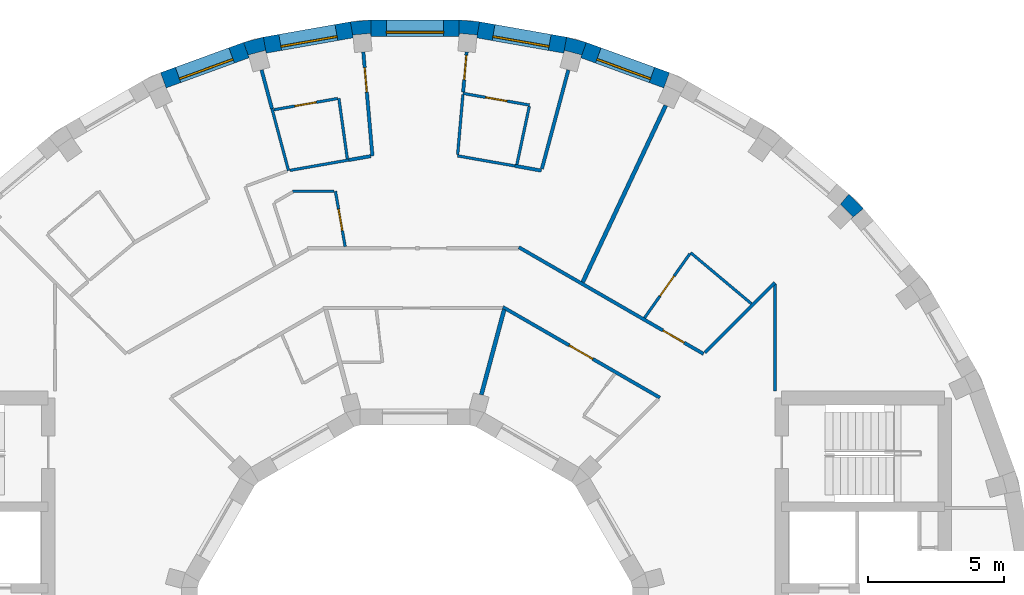
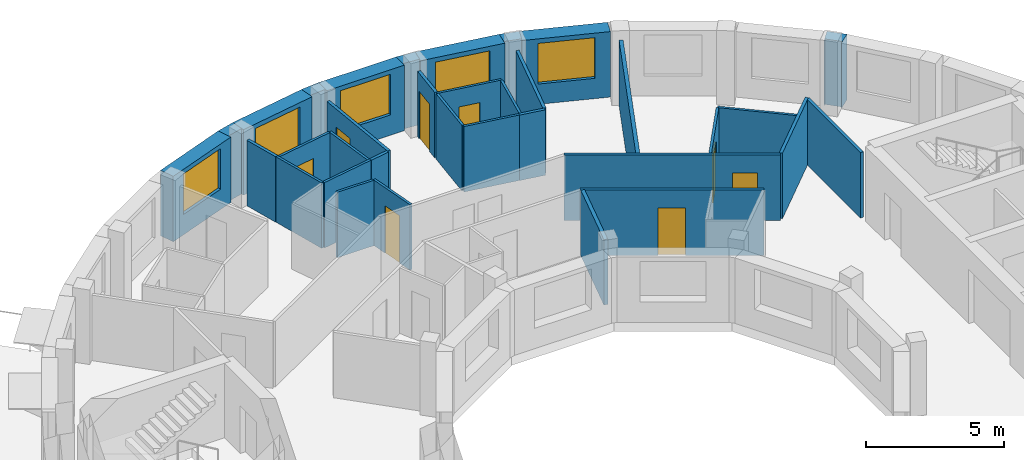
# One storey, part 8 of 10: 34 walls, 8 doors, 5 windows, 13 openings.
"""IFC4 building model written with IfcOpenShell, lengths in metres."""

import ifcopenshell
import ifcopenshell.guid

model = None  # the IFC model being written
_history = None  # IfcOwnerHistory: only IFC2X3 demands one
_inside = {}  # id of a spatial element -> (the spatial element, [elements in it])
_under = {}  # id of a project, library or spatial element -> (it, [spatial elements below it])
_declared = {}  # id of a project -> (the project, [libraries it declares])
_typed = {}  # id of a type object -> (the type object, [elements of that type])
_made_of = {}  # id of a material, layer set ... -> (it, [elements and type objects made of it])


def new_model(schema):
    """Start an empty IFC model of exactly this schema.

    Asked for "IFC4X3", IfcOpenShell would pick the latest addendum, in which some entities
    have other attributes; the version numbers below select the first issue.
    IFC2X3 requires an IfcOwnerHistory on every rooted entity: one is made here for all.
    """
    global model, _history
    if schema == "IFC4X3":
        model = ifcopenshell.file(schema_version=(4, 3, 0, 0))
    else:
        model = ifcopenshell.file(schema=schema)
    _inside.clear()
    _under.clear()
    _declared.clear()
    _typed.clear()
    _made_of.clear()
    _history = None
    if model.schema == "IFC2X3":
        org = make("IfcOrganization", Name="unknown")
        user = make(
            "IfcPersonAndOrganization",
            ThePerson=make("IfcPerson", FamilyName="unknown"),
            TheOrganization=org,
        )
        app = make(
            "IfcApplication",
            ApplicationDeveloper=org,
            Version="unknown",
            ApplicationFullName="unknown",
            ApplicationIdentifier="unknown",
        )
        _history = make(
            "IfcOwnerHistory",
            OwningUser=user,
            OwningApplication=app,
            ChangeAction="ADDED",
            CreationDate=0,
        )
    return model


def make(cls, **values):
    """One entity of the class cls with the attributes given. An attribute that is None is left unset."""
    return model.create_entity(
        cls, **{name: value for name, value in values.items() if value is not None}
    )


def rooted(cls, **values):
    """An entity with a GlobalId (a new one), such as an element, a storey or a relation."""
    return make(cls, GlobalId=ifcopenshell.guid.new(), OwnerHistory=_history, **values)


def si_unit(unit_type, name, prefix=None):
    """IfcSIUnit, for example si_unit("LENGTHUNIT", "METRE", prefix="MILLI")."""
    return make("IfcSIUnit", UnitType=unit_type, Prefix=prefix, Name=name)


def assignment(units):
    """IfcUnitAssignment: the units of a project."""
    return None if units is None else make("IfcUnitAssignment", Units=units)


def point(xyz):
    """IfcCartesianPoint."""
    return None if xyz is None else make("IfcCartesianPoint", Coordinates=xyz)


def direction(xyz):
    """IfcDirection."""
    return None if xyz is None else make("IfcDirection", DirectionRatios=xyz)


def frame(location, z_axis=None, x_axis=None):
    """IfcAxis2Placement3D, a coordinate frame: its origin and axes. An axis left out is left unset."""
    return make(
        "IfcAxis2Placement3D",
        Location=point(location),
        Axis=direction(z_axis),
        RefDirection=direction(x_axis),
    )


def frame_2d(location, x_axis=None):
    """IfcAxis2Placement2D, a coordinate frame in the plane: its origin and x axis."""
    return make(
        "IfcAxis2Placement2D", Location=point(location), RefDirection=direction(x_axis)
    )


def origin():
    """The frame at (0, 0, 0) with its axes left unset."""
    return frame((0.0, 0.0, 0.0))


def place(relative_to, where):
    """IfcLocalPlacement: puts the frame where relative to a parent placement (None: the world)."""
    return make(
        "IfcLocalPlacement", PlacementRelTo=relative_to, RelativePlacement=where
    )


def context(
    kind, dimensions, precision=None, world=None, true_north=None, identifier=None
):
    """IfcGeometricRepresentationContext, for example the 3D "Model" context."""
    return make(
        "IfcGeometricRepresentationContext",
        ContextIdentifier=identifier,
        ContextType=kind,
        CoordinateSpaceDimension=dimensions,
        Precision=precision,
        WorldCoordinateSystem=world,
        TrueNorth=true_north,
    )


def subcontext(parent, identifier, kind, view, scale=None):
    """IfcGeometricRepresentationSubContext, for example "Body" below "Model"."""
    return make(
        "IfcGeometricRepresentationSubContext",
        ContextIdentifier=identifier,
        ContextType=kind,
        ParentContext=parent,
        TargetScale=scale,
        TargetView=view,
    )


def project(units=None, contexts=None):
    """IfcProject with its units and contexts."""
    return rooted(
        "IfcProject",
        Name="project",
        RepresentationContexts=contexts,
        UnitsInContext=assignment(units),
    )


def spatial(cls, under=None, at=None, **own):
    """A site, building, storey or space (cls), placed at a placement, below another one or the project."""
    s = rooted(cls, ObjectPlacement=at, **own)
    if under is not None:
        _under.setdefault(under.id(), (under, []))[1].append(s)
    return s


def polyline(points):
    """IfcPolyline through the points."""
    return make("IfcPolyline", Points=[point(p) for p in points])


def profile(cls, at=None, kind="AREA", **sizes):
    """A parametric profile (cls). Its sizes go by their IFC names, for example OverallWidth=200.0."""
    return make(cls, ProfileType=kind, Position=at, **sizes)


def rectangle(**sizes):
    """IfcRectangleProfileDef."""
    return profile("IfcRectangleProfileDef", **sizes)


def outline(outer, holes=None, kind="AREA"):
    """IfcArbitraryClosedProfileDef: a profile drawn as a closed curve; with holes, ...WithVoids."""
    if holes is None:
        return make("IfcArbitraryClosedProfileDef", ProfileType=kind, OuterCurve=outer)
    return make(
        "IfcArbitraryProfileDefWithVoids",
        ProfileType=kind,
        OuterCurve=outer,
        InnerCurves=holes,
    )


def extrude(swept, where, along, depth):
    """IfcExtrudedAreaSolid: the profile swept, set in the frame where, extruded along a direction by depth."""
    return make(
        "IfcExtrudedAreaSolid",
        SweptArea=swept,
        Position=where,
        ExtrudedDirection=direction(along),
        Depth=depth,
    )


def shape(context_of_items, identifier, shape_type, items):
    """IfcShapeRepresentation: the items that make up one representation, for example the "Body"."""
    return make(
        "IfcShapeRepresentation",
        ContextOfItems=context_of_items,
        RepresentationIdentifier=identifier,
        RepresentationType=shape_type,
        Items=items,
    )


def material(Name=None, Category=None):
    """IfcMaterial."""
    return make("IfcMaterial", Name=Name, Category=Category)


def layer(
    of_material, thickness, ventilated=None, Name=None, Category=None, Priority=None
):
    """IfcMaterialLayer: one layer of a wall or slab, of a material (None: an air gap)."""
    return make(
        "IfcMaterialLayer",
        Material=of_material,
        LayerThickness=thickness,
        IsVentilated=ventilated,
        Name=Name,
        Category=Category,
        Priority=Priority,
    )


def layer_set(layers, Name=None):
    """IfcMaterialLayerSet."""
    return make("IfcMaterialLayerSet", MaterialLayers=layers, LayerSetName=Name)


def made_of(thing, what):
    """Note that an element or type object is made of a material, layer set ...; save() writes the relation."""
    if what is not None:
        _made_of.setdefault(what.id(), (what, []))[1].append(thing)
    return thing


def type_object(cls, material=None, **own):
    """A type object (cls), such as IfcWallType, which elements share."""
    return made_of(rooted(cls, **own), material)


def element(
    cls,
    number,
    at=None,
    inside=None,
    cuts=None,
    type_object=None,
    material=None,
    context=None,
    identifier="Body",
    shape_type=None,
    held_by="IfcProductDefinitionShape",
    body=None,
    shapes=None,
    **own,
):
    """One element of the class cls, such as IfcWall. Its Tag is "e" and its number.

    at: its placement. inside: the storey or other place that contains it. cuts: it is an
    opening in that element (IfcRelVoidsElement). A single representation is given by context,
    identifier, shape_type and body (its items); several are given by shapes. held_by: the class
    of the entity that holds the representations. save() writes the other relations.
    """
    e = rooted(cls, Tag="e%d" % number, ObjectPlacement=at, **own)
    if body is not None:
        shapes = [shape(context, identifier, shape_type, body)]
    if shapes is not None:
        e.Representation = make(held_by, Representations=shapes)
    if inside is not None:
        _inside.setdefault(inside.id(), (inside, []))[1].append(e)
    if cuts is not None:
        rooted(
            "IfcRelVoidsElement", RelatingBuildingElement=cuts, RelatedOpeningElement=e
        )
    if type_object is not None:
        _typed.setdefault(type_object.id(), (type_object, []))[1].append(e)
    return made_of(e, material)


def fill(opening, filler):
    """IfcRelFillsElement: the door or window that sits in an opening."""
    return rooted(
        "IfcRelFillsElement",
        RelatingOpeningElement=opening,
        RelatedBuildingElement=filler,
    )


def aggregate(whole, parts):
    """IfcRelAggregates: a whole, such as a stair, and the parts it consists of."""
    return rooted("IfcRelAggregates", RelatingObject=whole, RelatedObjects=parts)


def save(model, path):
    """Write the relations noted so far, then the file.

    IfcRelAggregates (storeys below a building ...), IfcRelContainedInSpatialStructure (elements
    in a storey), IfcRelDefinesByType, IfcRelAssociatesMaterial and IfcRelDeclares: one each for
    every whole, place, type object, material and project.
    """
    for whole, parts in _under.values():
        aggregate(whole, parts)
    for where, things in _inside.values():
        rooted(
            "IfcRelContainedInSpatialStructure",
            RelatedElements=things,
            RelatingStructure=where,
        )
    for kind, things in _typed.values():
        rooted("IfcRelDefinesByType", RelatedObjects=things, RelatingType=kind)
    for what, things in _made_of.values():
        rooted("IfcRelAssociatesMaterial", RelatedObjects=things, RelatingMaterial=what)
    for by, libraries in _declared.values():
        rooted("IfcRelDeclares", RelatingContext=by, RelatedDefinitions=libraries)
    model.write(path)


model = new_model("IFC4")

# Units and contexts
model_context = context("Model", 3, precision=1e-05, world=origin(), true_north=direction((0.0, 1.0)))
body_context = subcontext(model_context, "Body", "Model", "MODEL_VIEW")
ifc_project = project(units=[si_unit("LENGTHUNIT", "METRE"), si_unit("AREAUNIT", "SQUARE_METRE"), si_unit("VOLUMEUNIT", "CUBIC_METRE"), si_unit("PLANEANGLEUNIT", "RADIAN"), si_unit("MASSUNIT", "GRAM", prefix="KILO")], contexts=[model_context])

# Site, building, storey
site_placement = place(None, origin())
site = spatial("IfcSite", under=ifc_project, at=site_placement, CompositionType="ELEMENT")
building_placement = place(site_placement, origin())
building = spatial("IfcBuilding", under=site, at=building_placement, Name="Saqina Gate Tower", CompositionType="ELEMENT")
storey_placement = place(building_placement, frame((0.0, 0.0, 246.199951171875)))
storey = spatial("IfcBuildingStorey", under=building, at=storey_placement, Name="L70", CompositionType="ELEMENT", Elevation=246.199951171875)

# Walls
ifc_material_1 = material(Name="Brick masonry (buff)", Category="masonry")
wall_type_1 = type_object("IfcWallType", Name="BRICK PIER COPING BUFF", PredefinedType="SOLIDWALL", material=ifc_material_1)
wall_1_placement = place(storey_placement, origin())
element("IfcWall", 1, at=wall_1_placement, inside=storey, type_object=wall_type_1, Name="Pier cap L70 column 5", PredefinedType="SOLIDWALL", context=body_context, shape_type="SweptSolid", body=[
    extrude(outline(polyline([(15.973388671875, 16.5068359375), (15.587646484375, 16.04736328125), (15.662353515625, 16.1220703125), (16.1220703125, 15.662353515625), (16.04736328125, 15.587646484375), (16.5068359375, 15.973388671875), (15.973388671875, 16.5068359375)])), origin(), (0.0, 0.0, 1.0), 2.900146484375),
])
wall_2_placement = place(storey_placement, origin())
element("IfcWall", 2, at=wall_2_placement, inside=storey, type_object=wall_type_1, Name="Pier cap L70 column 8", PredefinedType="SOLIDWALL", context=body_context, shape_type="SweptSolid", body=[
    extrude(outline(polyline([(5.579833984375, 22.281982421875), (5.4755859375, 21.691162109375), (5.5029296875, 21.793212890625), (6.130859375, 21.625), (6.103515625, 21.52294921875), (6.30859375, 22.0869140625), (5.579833984375, 22.281982421875)])), origin(), (0.0, 0.0, 1.0), 2.900146484375),
])
wall_3_placement = place(storey_placement, origin())
element("IfcWall", 3, at=wall_3_placement, inside=storey, type_object=wall_type_1, Name="Pier cap L70 column 9", PredefinedType="SOLIDWALL", context=body_context, shape_type="SweptSolid", body=[
    extrude(outline(polyline([(2.377685546875, 22.8466796875), (1.625732421875, 22.91259765625), (1.625732421875, 22.3125), (1.635009765625, 22.417724609375), (2.28271484375, 22.361083984375), (2.2734375, 22.255859375), (2.377685546875, 22.8466796875)])), origin(), (0.0, 0.0, 1.0), 2.900146484375),
])
wall_4_placement = place(storey_placement, origin())
element("IfcWall", 4, at=wall_4_placement, inside=storey, type_object=wall_type_1, Name="Pier cap L70 column 10", PredefinedType="SOLIDWALL", context=body_context, shape_type="SweptSolid", body=[
    extrude(outline(polyline([(-1.625732421875, 22.91259765625), (-2.377685546875, 22.8466796875), (-2.2734375, 22.255859375), (-2.28271484375, 22.361083984375), (-1.635009765625, 22.417724609375), (-1.625732421875, 22.3125), (-1.625732421875, 22.91259765625)])), origin(), (0.0, 0.0, 1.0), 2.900146484375),
])
wall_5_placement = place(storey_placement, origin())
element("IfcWall", 5, at=wall_5_placement, inside=storey, type_object=wall_type_1, Name="Pier cap L70 column 11", PredefinedType="SOLIDWALL", context=body_context, shape_type="SweptSolid", body=[
    extrude(outline(polyline([(-6.30859375, 22.0869140625), (-6.103515625, 21.52294921875), (-6.130859375, 21.625), (-5.5029296875, 21.793212890625), (-5.4755859375, 21.691162109375), (-5.579833984375, 22.281982421875), (-6.30859375, 22.0869140625)])), origin(), (0.0, 0.0, 1.0), 2.900146484375),
])

# Wall, opening, window
ifc_material_2 = material(Name="Brick masonry (buff)", Category="masonry")
ifc_layer_1 = layer(ifc_material_2, 0.60009765625)
ifc_layer_set_1 = layer_set([ifc_layer_1], Name="FW-BRICK-BUFF")
wall_type_2 = type_object("IfcWallType", Name="FW-BRICK-BUFF", PredefinedType="SOLIDWALL", material=ifc_layer_set_1)
wall_6_placement = place(storey_placement, frame((9.26171875, 20.692626953125, 0.0), z_axis=(0.0, 0.0, 1.0), x_axis=(-0.939679383794, 0.342056509473, 0.0)))
wall_6 = element("IfcWall", 6, at=wall_6_placement, inside=storey, type_object=wall_type_2, Name="Facade wall L70 facet 7", PredefinedType="SOLIDWALL", context=body_context, shape_type="SweptSolid", body=[
    extrude(rectangle(XDim=3.251708984375, YDim=0.60009765625, at=frame_2d((1.6259765625, 0.0))), origin(), (0.0, 0.0, 1.0), 2.900146484375),
])
opening_1_placement = place(wall_6_placement, frame((0.57568359375, 0.0, 0.89990234375)))
opening_1 = element("IfcOpeningElement", 7, at=opening_1_placement, cuts=wall_6, Name="Opening G20-W05", PredefinedType="OPENING", context=body_context, shape_type="SweptSolid", body=[
    extrude(rectangle(XDim=2.10009765625, YDim=1.800048828125, at=frame_2d((1.050048828125, 0.89990234375))), frame((0.0, 0.31201171875, 0.0), z_axis=(0.0, -1.0, 0.0), x_axis=(1.0, 0.0, 0.0)), (0.0, 0.0, 1.0), 0.6240234375),
])
ifc_material_3 = material(Name="Aluminium glazing", Category="aluminium")
window_type = type_object("IfcWindowType", Name="WN-D", PartitioningType="SINGLE_PANEL", PredefinedType="WINDOW", material=ifc_material_3)
window_1_placement = place(opening_1_placement, origin())
window_1 = element("IfcWindow", 8, at=window_1_placement, inside=storey, type_object=window_type, Name="Window L70 facet 7", OverallHeight=1.800048828125, OverallWidth=2.10009765625, PartitioningType="SINGLE_PANEL", PredefinedType="WINDOW", context=body_context, shape_type="SweptSolid", body=[
    extrude(rectangle(XDim=2.10009765625, YDim=1.800048828125, at=frame_2d((1.050048828125, 0.89990234375))), frame((0.0, 0.179931640625, 0.0), z_axis=(0.0, -1.0, 0.0), x_axis=(1.0, 0.0, 0.0)), (0.0, 0.0, 1.0), 0.06005859375),
])
fill(opening_1, window_1)

wall_7_placement = place(storey_placement, frame((5.52783203125, 21.986572265625, 0.0), z_axis=(0.0, 0.0, 1.0), x_axis=(-0.984806225186, 0.173656842178, 0.0)))
wall_7 = element("IfcWall", 9, at=wall_7_placement, inside=storey, type_object=wall_type_2, Name="Facade wall L70 facet 8", PredefinedType="SOLIDWALL", context=body_context, shape_type="SweptSolid", body=[
    extrude(rectangle(XDim=3.251708984375, YDim=0.60009765625, at=frame_2d((1.6259765625, 0.0))), origin(), (0.0, 0.0, 1.0), 2.900146484375),
])
opening_2_placement = place(wall_7_placement, frame((0.57568359375, 0.0, 0.89990234375)))
opening_2 = element("IfcOpeningElement", 10, at=opening_2_placement, cuts=wall_7, Name="Opening G20-W06", PredefinedType="OPENING", context=body_context, shape_type="SweptSolid", body=[
    extrude(rectangle(XDim=2.10009765625, YDim=1.800048828125, at=frame_2d((1.050048828125, 0.89990234375))), frame((0.0, 0.31201171875, 0.0), z_axis=(0.0, -1.0, 0.0), x_axis=(1.0, 0.0, 0.0)), (0.0, 0.0, 1.0), 0.6240234375),
])
window_2_placement = place(opening_2_placement, origin())
window_2 = element("IfcWindow", 11, at=window_2_placement, inside=storey, type_object=window_type, Name="Window L70 facet 8", OverallHeight=1.800048828125, OverallWidth=2.10009765625, PartitioningType="SINGLE_PANEL", PredefinedType="WINDOW", context=body_context, shape_type="SweptSolid", body=[
    extrude(rectangle(XDim=2.10009765625, YDim=1.800048828125, at=frame_2d((1.050048828125, 0.89990234375))), frame((0.0, 0.179931640625, 0.0), z_axis=(0.0, -1.0, 0.0), x_axis=(1.0, 0.0, 0.0)), (0.0, 0.0, 1.0), 0.06005859375),
])
fill(opening_2, window_2)

wall_8_placement = place(storey_placement, frame((1.625732421875, 22.612548828125, 0.0), z_axis=(0.0, 0.0, 1.0), x_axis=(-1.0, 0.0, 0.0)))
wall_8 = element("IfcWall", 12, at=wall_8_placement, inside=storey, type_object=wall_type_2, Name="Facade wall L70 facet 9", PredefinedType="SOLIDWALL", context=body_context, shape_type="SweptSolid", body=[
    extrude(rectangle(XDim=3.25146484375, YDim=0.60009765625, at=frame_2d((1.625732421875, 0.0))), origin(), (0.0, 0.0, 1.0), 2.900146484375),
])
opening_3_placement = place(wall_8_placement, frame((0.57568359375, 0.0, 0.89990234375)))
opening_3 = element("IfcOpeningElement", 13, at=opening_3_placement, cuts=wall_8, Name="Opening G20-W07", PredefinedType="OPENING", context=body_context, shape_type="SweptSolid", body=[
    extrude(rectangle(XDim=2.10009765625, YDim=1.800048828125, at=frame_2d((1.050048828125, 0.89990234375))), frame((0.0, 0.31201171875, 0.0), z_axis=(0.0, -1.0, 0.0), x_axis=(1.0, 0.0, 0.0)), (0.0, 0.0, 1.0), 0.6240234375),
])
window_3_placement = place(opening_3_placement, origin())
window_3 = element("IfcWindow", 14, at=window_3_placement, inside=storey, type_object=window_type, Name="Window L70 facet 9", OverallHeight=1.800048828125, OverallWidth=2.10009765625, PartitioningType="SINGLE_PANEL", PredefinedType="WINDOW", context=body_context, shape_type="SweptSolid", body=[
    extrude(rectangle(XDim=2.10009765625, YDim=1.800048828125, at=frame_2d((1.050048828125, 0.89990234375))), frame((0.0, 0.179931640625, 0.0), z_axis=(0.0, -1.0, 0.0), x_axis=(1.0, 0.0, 0.0)), (0.0, 0.0, 1.0), 0.06005859375),
])
fill(opening_3, window_3)

wall_9_placement = place(storey_placement, frame((-2.325439453125, 22.55126953125, 0.0), z_axis=(0.0, 0.0, 1.0), x_axis=(-0.984806225186, -0.173656842178, 0.0)))
wall_9 = element("IfcWall", 15, at=wall_9_placement, inside=storey, type_object=wall_type_2, Name="Facade wall L70 facet 10", PredefinedType="SOLIDWALL", context=body_context, shape_type="SweptSolid", body=[
    extrude(rectangle(XDim=3.251708984375, YDim=0.60009765625, at=frame_2d((1.6259765625, 0.0))), origin(), (0.0, 0.0, 1.0), 2.900146484375),
])
opening_4_placement = place(wall_9_placement, frame((0.57568359375, 0.0, 0.89990234375)))
opening_4 = element("IfcOpeningElement", 16, at=opening_4_placement, cuts=wall_9, Name="Opening G20-W08", PredefinedType="OPENING", context=body_context, shape_type="SweptSolid", body=[
    extrude(rectangle(XDim=2.10009765625, YDim=1.800048828125, at=frame_2d((1.050048828125, 0.89990234375))), frame((0.0, 0.31201171875, 0.0), z_axis=(0.0, -1.0, 0.0), x_axis=(1.0, 0.0, 0.0)), (0.0, 0.0, 1.0), 0.6240234375),
])
window_4_placement = place(opening_4_placement, origin())
window_4 = element("IfcWindow", 17, at=window_4_placement, inside=storey, type_object=window_type, Name="Window L70 facet 10", OverallHeight=1.800048828125, OverallWidth=2.10009765625, PartitioningType="SINGLE_PANEL", PredefinedType="WINDOW", context=body_context, shape_type="SweptSolid", body=[
    extrude(rectangle(XDim=2.10009765625, YDim=1.800048828125, at=frame_2d((1.050048828125, 0.89990234375))), frame((0.0, 0.179931640625, 0.0), z_axis=(0.0, -1.0, 0.0), x_axis=(1.0, 0.0, 0.0)), (0.0, 0.0, 1.0), 0.06005859375),
])
fill(opening_4, window_4)

wall_10_placement = place(storey_placement, frame((-6.2060546875, 21.804931640625, 0.0), z_axis=(0.0, 0.0, 1.0), x_axis=(-0.939679383794, -0.342056509473, 0.0)))
wall_10 = element("IfcWall", 18, at=wall_10_placement, inside=storey, type_object=wall_type_2, Name="Facade wall L70 facet 11", PredefinedType="SOLIDWALL", context=body_context, shape_type="SweptSolid", body=[
    extrude(rectangle(XDim=3.251708984375, YDim=0.60009765625, at=frame_2d((1.6259765625, 0.0))), origin(), (0.0, 0.0, 1.0), 2.900146484375),
])
opening_5_placement = place(wall_10_placement, frame((0.57568359375, 0.0, 0.89990234375)))
opening_5 = element("IfcOpeningElement", 19, at=opening_5_placement, cuts=wall_10, Name="Opening G20-W09", PredefinedType="OPENING", context=body_context, shape_type="SweptSolid", body=[
    extrude(rectangle(XDim=2.10009765625, YDim=1.800048828125, at=frame_2d((1.050048828125, 0.89990234375))), frame((0.0, 0.31201171875, 0.0), z_axis=(0.0, -1.0, 0.0), x_axis=(1.0, 0.0, 0.0)), (0.0, 0.0, 1.0), 0.6240234375),
])
window_5_placement = place(opening_5_placement, origin())
window_5 = element("IfcWindow", 20, at=window_5_placement, inside=storey, type_object=window_type, Name="Window L70 facet 11", OverallHeight=1.800048828125, OverallWidth=2.10009765625, PartitioningType="SINGLE_PANEL", PredefinedType="WINDOW", context=body_context, shape_type="SweptSolid", body=[
    extrude(rectangle(XDim=2.10009765625, YDim=1.800048828125, at=frame_2d((1.050048828125, 0.89990234375))), frame((0.0, 0.179931640625, 0.0), z_axis=(0.0, -1.0, 0.0), x_axis=(1.0, 0.0, 0.0)), (0.0, 0.0, 1.0), 0.06005859375),
])
fill(opening_5, window_5)

# Wall
ifc_material_4 = material(Name="Gypsum board on steel studs, 100 mm", Category="steel")
ifc_layer_2 = layer(ifc_material_4, 0.10009765625)
ifc_layer_set_2 = layer_set([ifc_layer_2], Name="PARTITION 100")
wall_type_3 = type_object("IfcWallType", Name="PARTITION 100", PredefinedType="PARTITIONING", material=ifc_layer_set_2)
wall_11_placement = place(storey_placement, frame((-2.802001953125, 20.030029296875, 0.0), z_axis=(0.0, 0.0, 1.0), x_axis=(0.138596789885, -0.990348892983, 0.0)))
element("IfcWall", 21, at=wall_11_placement, inside=storey, type_object=wall_type_3, Name="PARTITION PW3-03", PredefinedType="PARTITIONING", context=body_context, shape_type="SweptSolid", body=[
    extrude(rectangle(XDim=2.251220703125, YDim=0.10009765625, at=frame_2d((1.12548828125, 0.0))), origin(), (0.0, 0.0, 1.0), 2.900146484375),
])

# Wall, opening, door
wall_12_placement = place(storey_placement, frame((-2.928955078125, 16.610107421875, 0.0), z_axis=(0.0, 0.0, 1.0), x_axis=(0.173496006764, -0.984834572726, 0.0)))
wall_12 = element("IfcWall", 22, at=wall_12_placement, inside=storey, type_object=wall_type_3, Name="PARTITION PW3-04", PredefinedType="PARTITIONING", context=body_context, shape_type="SweptSolid", body=[
    extrude(rectangle(XDim=2.070068359375, YDim=0.10009765625, at=frame_2d((1.03515625, 0.0))), origin(), (0.0, 0.0, 1.0), 2.900146484375),
])
opening_6_placement = place(wall_12_placement, frame((0.667236328125, 0.0, 0.0)))
opening_6 = element("IfcOpeningElement", 23, at=opening_6_placement, cuts=wall_12, Name="Opening G20-D12", PredefinedType="OPENING", context=body_context, shape_type="SweptSolid", body=[
    extrude(rectangle(XDim=0.800048828125, YDim=2.10009765625, at=frame_2d((0.39990234375, 1.050048828125))), frame((0.0, 0.06201171875, 0.0), z_axis=(0.0, -1.0, 0.0), x_axis=(1.0, 0.0, 0.0)), (0.0, 0.0, 1.0), 0.1240234375),
])
ifc_material_5 = material(Name="Timber door leaf, 800 mm", Category="wood")
door_type_1 = type_object("IfcDoorType", Name="DOOR 800 TIMBER", OperationType="SINGLE_SWING_LEFT", PredefinedType="DOOR", material=ifc_material_5)
door_1_placement = place(opening_6_placement, origin())
door_1 = element("IfcDoor", 24, at=door_1_placement, inside=storey, type_object=door_type_1, Name="DOOR G20-D12", OperationType="SINGLE_SWING_RIGHT", OverallHeight=2.10009765625, OverallWidth=0.800048828125, PredefinedType="DOOR", context=body_context, shape_type="SweptSolid", body=[
    extrude(rectangle(XDim=0.800048828125, YDim=2.10009765625, at=frame_2d((0.39990234375, 1.050048828125))), frame((0.0, 0.02490234375, 0.0), z_axis=(0.0, -1.0, 0.0), x_axis=(1.0, 0.0, 0.0)), (0.0, 0.0, 1.0), 0.050048828125),
])
fill(opening_6, door_1)

# Walls
wall_13_placement = place(storey_placement, frame((-5.263916015625, 19.646240234375, 0.0), z_axis=(0.0, 0.0, 1.0), x_axis=(0.258480811352, -0.966016392285, 0.0)))
element("IfcWall", 25, at=wall_13_placement, inside=storey, type_object=wall_type_3, Name="PARTITION PW3-06", PredefinedType="PARTITIONING", context=body_context, shape_type="SweptSolid", body=[
    extrude(rectangle(XDim=2.3583984375, YDim=0.10009765625, at=frame_2d((1.17919921875, 0.0))), origin(), (0.0, 0.0, 1.0), 2.900146484375),
])
wall_14_placement = place(storey_placement, frame((10.14599609375, 14.347900390625, 0.0), z_axis=(0.0, 0.0, 1.0), x_axis=(0.765810272607, -0.643066580044, 0.0)))
element("IfcWall", 26, at=wall_14_placement, inside=storey, type_object=wall_type_3, Name="PARTITION PW3-15", PredefinedType="PARTITIONING", context=body_context, shape_type="SweptSolid", body=[
    extrude(rectangle(XDim=2.919921875, YDim=0.10009765625, at=frame_2d((1.4599609375, 0.0))), origin(), (0.0, 0.0, 1.0), 2.900146484375),
])
wall_15_placement = place(storey_placement, frame((1.56689453125, 17.912109375, 0.0), z_axis=(0.0, 0.0, 1.0), x_axis=(0.984859193769, -0.173356189529, 0.0)))
element("IfcWall", 27, at=wall_15_placement, inside=storey, type_object=wall_type_3, Name="PARTITION PW3-23", PredefinedType="PARTITIONING", context=body_context, shape_type="SweptSolid", body=[
    extrude(rectangle(XDim=2.14208984375, YDim=0.10009765625, at=frame_2d((1.071044921875, 0.0))), origin(), (0.0, 0.0, 1.0), 2.900146484375),
])

# Wall, opening, door
wall_16_placement = place(storey_placement, frame((1.76806640625, 20.2119140625, 0.0), z_axis=(0.0, 0.0, 1.0), x_axis=(0.984882203063, -0.173225419871, 0.0)))
wall_16 = element("IfcWall", 28, at=wall_16_placement, inside=storey, type_object=wall_type_3, Name="PARTITION PW3-24", PredefinedType="PARTITIONING", context=body_context, shape_type="SweptSolid", body=[
    extrude(rectangle(XDim=2.487548828125, YDim=0.10009765625, at=frame_2d((1.24365234375, 0.0))), origin(), (0.0, 0.0, 1.0), 2.900146484375),
])
opening_7_placement = place(wall_16_placement, frame((0.84375, 0.0, 0.0)))
opening_7 = element("IfcOpeningElement", 29, at=opening_7_placement, cuts=wall_16, Name="Opening G20-D05", PredefinedType="OPENING", context=body_context, shape_type="SweptSolid", body=[
    extrude(rectangle(XDim=0.800048828125, YDim=2.10009765625, at=frame_2d((0.39990234375, 1.050048828125))), frame((0.0, 0.06201171875, 0.0), z_axis=(0.0, -1.0, 0.0), x_axis=(1.0, 0.0, 0.0)), (0.0, 0.0, 1.0), 0.1240234375),
])
door_2_placement = place(opening_7_placement, origin())
door_2 = element("IfcDoor", 30, at=door_2_placement, inside=storey, type_object=door_type_1, Name="DOOR G20-D05", OperationType="SINGLE_SWING_LEFT", OverallHeight=2.10009765625, OverallWidth=0.800048828125, PredefinedType="DOOR", context=body_context, shape_type="SweptSolid", body=[
    extrude(rectangle(XDim=0.800048828125, YDim=2.10009765625, at=frame_2d((0.39990234375, 1.050048828125))), frame((0.0, 0.02490234375, 0.0), z_axis=(0.0, -1.0, 0.0), x_axis=(1.0, 0.0, 0.0)), (0.0, 0.0, 1.0), 0.050048828125),
])
fill(opening_7, door_2)

# Walls
wall_17_placement = place(storey_placement, frame((-4.5087890625, 16.610107421875, 0.0), z_axis=(0.0, 0.0, 1.0), x_axis=(1.0, 0.0, 0.0)))
element("IfcWall", 31, at=wall_17_placement, inside=storey, type_object=wall_type_3, Name="PARTITION PW3-27", PredefinedType="PARTITIONING", context=body_context, shape_type="SweptSolid", body=[
    extrude(rectangle(XDim=1.52783203125, YDim=0.10009765625, at=frame_2d((0.763916015625, 0.0))), origin(), (0.0, 0.0, 1.0), 2.900146484375),
])
wall_18_placement = place(storey_placement, frame((-4.604736328125, 17.376708984375, 0.0), z_axis=(0.0, 0.0, 1.0), x_axis=(0.984786903427, 0.173766380058, 0.0)))
element("IfcWall", 32, at=wall_18_placement, inside=storey, type_object=wall_type_3, Name="PARTITION PW3-30", PredefinedType="PARTITIONING", context=body_context, shape_type="SweptSolid", body=[
    extrude(rectangle(XDim=2.204345703125, YDim=0.10009765625, at=frame_2d((1.10205078125, 0.0))), origin(), (0.0, 0.0, 1.0), 2.900146484375),
])

# Wall, opening, door
wall_19_placement = place(storey_placement, frame((-5.189453125, 19.60888671875, 0.0), z_axis=(0.0, 0.0, 1.0), x_axis=(0.984802186768, 0.173679742451, 0.0)))
wall_19 = element("IfcWall", 33, at=wall_19_placement, inside=storey, type_object=wall_type_3, Name="PARTITION PW3-31", PredefinedType="PARTITIONING", context=body_context, shape_type="SweptSolid", body=[
    extrude(rectangle(XDim=2.374267578125, YDim=0.10009765625, at=frame_2d((1.18701171875, 0.0))), origin(), (0.0, 0.0, 1.0), 2.900146484375),
])
opening_8_placement = place(wall_19_placement, frame((0.781005859375, 0.0, 0.0)))
opening_8 = element("IfcOpeningElement", 34, at=opening_8_placement, cuts=wall_19, Name="Opening G20-D13", PredefinedType="OPENING", context=body_context, shape_type="SweptSolid", body=[
    extrude(rectangle(XDim=0.800048828125, YDim=2.10009765625, at=frame_2d((0.39990234375, 1.050048828125))), frame((0.0, 0.06201171875, 0.0), z_axis=(0.0, -1.0, 0.0), x_axis=(1.0, 0.0, 0.0)), (0.0, 0.0, 1.0), 0.1240234375),
])
door_3_placement = place(opening_8_placement, origin())
door_3 = element("IfcDoor", 35, at=door_3_placement, inside=storey, type_object=door_type_1, Name="DOOR G20-D13", OperationType="SINGLE_SWING_LEFT", OverallHeight=2.10009765625, OverallWidth=0.800048828125, PredefinedType="DOOR", context=body_context, shape_type="SweptSolid", body=[
    extrude(rectangle(XDim=0.800048828125, YDim=2.10009765625, at=frame_2d((0.39990234375, 1.050048828125))), frame((0.0, 0.02490234375, 0.0), z_axis=(0.0, -1.0, 0.0), x_axis=(1.0, 0.0, 0.0)), (0.0, 0.0, 1.0), 0.050048828125),
])
fill(opening_8, door_3)

wall_20_placement = place(storey_placement, frame((8.44921875, 11.9482421875, 0.0), z_axis=(0.0, 0.0, 1.0), x_axis=(0.577346566694, 0.816499198975, 0.0)))
wall_20 = element("IfcWall", 36, at=wall_20_placement, inside=storey, type_object=wall_type_3, Name="PARTITION PW3-41", PredefinedType="PARTITIONING", context=body_context, shape_type="SweptSolid", body=[
    extrude(rectangle(XDim=2.888916015625, YDim=0.10009765625, at=frame_2d((1.4443359375, 0.0))), origin(), (0.0, 0.0, 1.0), 2.900146484375),
])
opening_9_placement = place(wall_20_placement, frame((0.988037109375, 0.0, 0.0)))
opening_9 = element("IfcOpeningElement", 37, at=opening_9_placement, cuts=wall_20, Name="Opening G20-D03", PredefinedType="OPENING", context=body_context, shape_type="SweptSolid", body=[
    extrude(rectangle(XDim=0.89990234375, YDim=2.10009765625, at=frame_2d((0.449951171875, 1.050048828125))), frame((0.0, 0.06201171875, 0.0), z_axis=(0.0, -1.0, 0.0), x_axis=(1.0, 0.0, 0.0)), (0.0, 0.0, 1.0), 0.1240234375),
])
ifc_material_6 = material(Name="Timber door leaf, 900 mm", Category="wood")
door_type_2 = type_object("IfcDoorType", Name="DOOR 900 TIMBER", OperationType="SINGLE_SWING_LEFT", PredefinedType="DOOR", material=ifc_material_6)
door_4_placement = place(opening_9_placement, origin())
door_4 = element("IfcDoor", 38, at=door_4_placement, inside=storey, type_object=door_type_2, Name="DOOR G20-D03", OperationType="SINGLE_SWING_LEFT", OverallHeight=2.10009765625, OverallWidth=0.89990234375, PredefinedType="DOOR", context=body_context, shape_type="SweptSolid", body=[
    extrude(rectangle(XDim=0.89990234375, YDim=2.10009765625, at=frame_2d((0.449951171875, 1.050048828125))), frame((0.0, 0.02490234375, 0.0), z_axis=(0.0, -1.0, 0.0), x_axis=(1.0, 0.0, 0.0)), (0.0, 0.0, 1.0), 0.050048828125),
])
fill(opening_9, door_4)

# Walls
wall_21_placement = place(storey_placement, frame((3.7509765625, 17.59130859375, 0.0), z_axis=(0.0, 0.0, 1.0), x_axis=(0.208561664849, 0.978009218748, 0.0)))
element("IfcWall", 39, at=wall_21_placement, inside=storey, type_object=wall_type_3, Name="PARTITION PW3-49", PredefinedType="PARTITIONING", context=body_context, shape_type="SweptSolid", body=[
    extrude(rectangle(XDim=2.18896484375, YDim=0.10009765625, at=frame_2d((1.094482421875, 0.0))), origin(), (0.0, 0.0, 1.0), 2.900146484375),
])
wall_22_placement = place(storey_placement, frame((1.571533203125, 17.962890625, 0.0), z_axis=(0.0, 0.0, 1.0), x_axis=(0.087035248455, 0.996205232634, 0.0)))
element("IfcWall", 40, at=wall_22_placement, inside=storey, type_object=wall_type_3, Name="PARTITION PW3-52", PredefinedType="PARTITIONING", context=body_context, shape_type="SweptSolid", body=[
    extrude(rectangle(XDim=2.20751953125, YDim=0.10009765625, at=frame_2d((1.103759765625, 0.0))), origin(), (0.0, 0.0, 1.0), 2.900146484375),
])

# Wall, opening, door
ifc_material_7 = material(Name="Gypsum board on steel studs, 125 mm, fire rated", Category="steel")
ifc_layer_3 = layer(ifc_material_7, 0.125)
ifc_layer_set_3 = layer_set([ifc_layer_3], Name="PARTITION EI 30 125")
wall_type_4 = type_object("IfcWallType", Name="PARTITION EI 30 125", PredefinedType="PARTITIONING", material=ifc_layer_set_3)
wall_23_placement = place(storey_placement, frame((-1.9013671875, 21.73193359375, 0.0), z_axis=(0.0, 0.0, 1.0), x_axis=(0.087187491268, -0.996191919946, 0.0)))
wall_23 = element("IfcWall", 41, at=wall_23_placement, inside=storey, type_object=wall_type_4, Name="PARTITION PW1-01", PredefinedType="PARTITIONING", context=body_context, shape_type="SweptSolid", body=[
    extrude(rectangle(XDim=3.83349609375, YDim=0.125, at=frame_2d((1.916748046875, 0.0))), origin(), (0.0, 0.0, 1.0), 2.900146484375),
])
opening_10_placement = place(wall_23_placement, frame((0.5751953125, 0.0, 0.0)))
opening_10 = element("IfcOpeningElement", 42, at=opening_10_placement, cuts=wall_23, Name="Opening G20-D10", PredefinedType="OPENING", context=body_context, shape_type="SweptSolid", body=[
    extrude(rectangle(XDim=0.89990234375, YDim=2.10009765625, at=frame_2d((0.449951171875, 1.050048828125))), frame((0.0, 0.074462890625, 0.0), z_axis=(0.0, -1.0, 0.0), x_axis=(1.0, 0.0, 0.0)), (0.0, 0.0, 1.0), 0.14892578125),
])
ifc_material_8 = material(Name="Fire door leaf EI 30, 900 mm")
door_type_3 = type_object("IfcDoorType", Name="DOOR 900 EI 30", OperationType="SINGLE_SWING_LEFT", PredefinedType="DOOR", material=ifc_material_8)
door_5_placement = place(opening_10_placement, origin())
door_5 = element("IfcDoor", 43, at=door_5_placement, inside=storey, type_object=door_type_3, Name="DOOR G20-D10", OperationType="SINGLE_SWING_LEFT", OverallHeight=2.10009765625, OverallWidth=0.89990234375, PredefinedType="DOOR", context=body_context, shape_type="SweptSolid", body=[
    extrude(rectangle(XDim=0.89990234375, YDim=2.10009765625, at=frame_2d((0.449951171875, 1.050048828125))), frame((0.0, 0.02490234375, 0.0), z_axis=(0.0, -1.0, 0.0), x_axis=(1.0, 0.0, 0.0)), (0.0, 0.0, 1.0), 0.050048828125),
])
fill(opening_10, door_5)

# Wall
wall_24_placement = place(storey_placement, frame((-5.64599609375, 21.07177734375, 0.0), z_axis=(0.0, 0.0, 1.0), x_axis=(0.258887675069, -0.965907434332, 0.0)))
element("IfcWall", 44, at=wall_24_placement, inside=storey, type_object=wall_type_4, Name="PARTITION PW1-04", PredefinedType="PARTITIONING", context=body_context, shape_type="SweptSolid", body=[
    extrude(rectangle(XDim=1.475830078125, YDim=0.125, at=frame_2d((0.73779296875, 0.0))), origin(), (0.0, 0.0, 1.0), 2.900146484375),
])

# Wall, opening, door
wall_25_placement = place(storey_placement, frame((3.235595703125, 12.34619140625, 0.0), z_axis=(0.0, 0.0, 1.0), x_axis=(0.866074652738, -0.499914688607, 0.0)))
wall_25 = element("IfcWall", 45, at=wall_25_placement, inside=storey, type_object=wall_type_4, Name="PARTITION PW1-13", PredefinedType="PARTITIONING", context=body_context, shape_type="SweptSolid", body=[
    extrude(rectangle(XDim=6.669677734375, YDim=0.125, at=frame_2d((3.3349609375, 0.0))), origin(), (0.0, 0.0, 1.0), 2.900146484375),
])
opening_11_placement = place(wall_25_placement, frame((2.8203125, 0.0, 0.0)))
opening_11 = element("IfcOpeningElement", 46, at=opening_11_placement, cuts=wall_25, Name="Opening G20-D04", PredefinedType="OPENING", context=body_context, shape_type="SweptSolid", body=[
    extrude(rectangle(XDim=1.0, YDim=2.10009765625, at=frame_2d((0.5, 1.050048828125))), frame((0.0, 0.074462890625, 0.0), z_axis=(0.0, -1.0, 0.0), x_axis=(1.0, 0.0, 0.0)), (0.0, 0.0, 1.0), 0.14892578125),
])
ifc_material_9 = material(Name="Fire door leaf EI 30, 1000 mm")
door_type_4 = type_object("IfcDoorType", Name="DOOR 1000 EI 30", OperationType="SINGLE_SWING_LEFT", PredefinedType="DOOR", material=ifc_material_9)
door_6_placement = place(opening_11_placement, frame((1.0, 0.0, 0.0), z_axis=(0.0, 0.0, 1.0), x_axis=(-1.0, 0.0, 0.0)))
door_6 = element("IfcDoor", 47, at=door_6_placement, inside=storey, type_object=door_type_4, Name="DOOR G20-D04", OperationType="SINGLE_SWING_RIGHT", OverallHeight=2.10009765625, OverallWidth=1.0, PredefinedType="DOOR", context=body_context, shape_type="SweptSolid", body=[
    extrude(rectangle(XDim=1.0, YDim=2.10009765625, at=frame_2d((0.5, 1.050048828125))), frame((0.0, 0.02490234375, 0.0), z_axis=(0.0, -1.0, 0.0), x_axis=(1.0, 0.0, 0.0)), (0.0, 0.0, 1.0), 0.050048828125),
])
fill(opening_11, door_6)

wall_26_placement = place(storey_placement, frame((3.824462890625, 14.546630859375, 0.0), z_axis=(0.0, 0.0, 1.0), x_axis=(0.866027606468, -0.499996184821, 0.0)))
wall_26 = element("IfcWall", 48, at=wall_26_placement, inside=storey, type_object=wall_type_4, Name="PARTITION PW1-14", PredefinedType="PARTITIONING", context=body_context, shape_type="SweptSolid", body=[
    extrude(rectangle(XDim=7.84912109375, YDim=0.125, at=frame_2d((3.924560546875, 0.0))), origin(), (0.0, 0.0, 1.0), 2.900146484375),
])
opening_12_placement = place(wall_26_placement, frame((6.123779296875, 0.0, 0.0)))
opening_12 = element("IfcOpeningElement", 49, at=opening_12_placement, cuts=wall_26, Name="Opening G20-D01", PredefinedType="OPENING", context=body_context, shape_type="SweptSolid", body=[
    extrude(rectangle(XDim=0.89990234375, YDim=2.10009765625, at=frame_2d((0.449951171875, 1.050048828125))), frame((0.0, 0.074462890625, 0.0), z_axis=(0.0, -1.0, 0.0), x_axis=(1.0, 0.0, 0.0)), (0.0, 0.0, 1.0), 0.14892578125),
])
door_7_placement = place(opening_12_placement, origin())
door_7 = element("IfcDoor", 50, at=door_7_placement, inside=storey, type_object=door_type_3, Name="DOOR G20-D01", OperationType="SINGLE_SWING_RIGHT", OverallHeight=2.10009765625, OverallWidth=0.89990234375, PredefinedType="DOOR", context=body_context, shape_type="SweptSolid", body=[
    extrude(rectangle(XDim=0.89990234375, YDim=2.10009765625, at=frame_2d((0.449951171875, 1.050048828125))), frame((0.0, 0.02490234375, 0.0), z_axis=(0.0, -1.0, 0.0), x_axis=(1.0, 0.0, 0.0)), (0.0, 0.0, 1.0), 0.050048828125),
])
fill(opening_12, door_7)

# Walls
wall_27_placement = place(storey_placement, frame((3.6767578125, 17.54296875, 0.0), z_axis=(0.0, 0.0, 1.0), x_axis=(0.984296443918, -0.176523399272, 0.0)))
element("IfcWall", 51, at=wall_27_placement, inside=storey, type_object=wall_type_4, Name="PARTITION PW1-15", PredefinedType="PARTITIONING", context=body_context, shape_type="SweptSolid", body=[
    extrude(rectangle(XDim=0.99169921875, YDim=0.125, at=frame_2d((0.495849609375, 0.0))), origin(), (0.0, 0.0, 1.0), 2.900146484375),
])
wall_28_placement = place(storey_placement, frame((-2.433837890625, 17.759765625, 0.0), z_axis=(0.0, 0.0, 1.0), x_axis=(0.98493650749, 0.172916385032, 0.0)))
element("IfcWall", 52, at=wall_28_placement, inside=storey, type_object=wall_type_4, Name="PARTITION PW1-22", PredefinedType="PARTITIONING", context=body_context, shape_type="SweptSolid", body=[
    extrude(rectangle(XDim=0.8173828125, YDim=0.125, at=frame_2d((0.40869140625, 0.0))), origin(), (0.0, 0.0, 1.0), 2.900146484375),
])
wall_29_placement = place(storey_placement, frame((10.666259765625, 10.666259765625, 0.0), z_axis=(0.0, 0.0, 1.0), x_axis=(0.707106781187, 0.707106781187, 0.0)))
element("IfcWall", 53, at=wall_29_placement, inside=storey, type_object=wall_type_4, Name="PARTITION PW1-32", PredefinedType="PARTITIONING", context=body_context, shape_type="SweptSolid", body=[
    extrude(rectangle(XDim=3.654052734375, YDim=0.125, at=frame_2d((1.8271484375, 0.0))), origin(), (0.0, 0.0, 1.0), 2.900146484375),
])
wall_30_placement = place(storey_placement, frame((4.670654296875, 17.42822265625, 0.0), z_axis=(0.0, 0.0, 1.0), x_axis=(0.258585096905, 0.965988482156, 0.0)))
element("IfcWall", 54, at=wall_30_placement, inside=storey, type_object=wall_type_4, Name="PARTITION PW1-36", PredefinedType="PARTITIONING", context=body_context, shape_type="SweptSolid", body=[
    extrude(rectangle(XDim=3.771728515625, YDim=0.125, at=frame_2d((1.8857421875, 0.0))), origin(), (0.0, 0.0, 1.0), 2.900146484375),
])

# Wall, opening, door
wall_31_placement = place(storey_placement, frame((1.7724609375, 20.26171875, 0.0), z_axis=(0.0, 0.0, 1.0), x_axis=(0.087179262922, 0.996192640063, 0.0)))
wall_31 = element("IfcWall", 55, at=wall_31_placement, inside=storey, type_object=wall_type_4, Name="PARTITION PW1-38", PredefinedType="PARTITIONING", context=body_context, shape_type="SweptSolid", body=[
    extrude(rectangle(XDim=1.475830078125, YDim=0.125, at=frame_2d((0.73779296875, 0.0))), origin(), (0.0, 0.0, 1.0), 2.900146484375),
])
opening_13_placement = place(wall_31_placement, frame((0.4541015625, 0.0, 0.0)))
opening_13 = element("IfcOpeningElement", 56, at=opening_13_placement, cuts=wall_31, Name="Opening G20-D06", PredefinedType="OPENING", context=body_context, shape_type="SweptSolid", body=[
    extrude(rectangle(XDim=0.89990234375, YDim=2.10009765625, at=frame_2d((0.449951171875, 1.050048828125))), frame((0.0, 0.074462890625, 0.0), z_axis=(0.0, -1.0, 0.0), x_axis=(1.0, 0.0, 0.0)), (0.0, 0.0, 1.0), 0.14892578125),
])
door_8_placement = place(opening_13_placement, origin())
door_8 = element("IfcDoor", 57, at=door_8_placement, inside=storey, type_object=door_type_3, Name="DOOR G20-D06", OperationType="SINGLE_SWING_RIGHT", OverallHeight=2.10009765625, OverallWidth=0.89990234375, PredefinedType="DOOR", context=body_context, shape_type="SweptSolid", body=[
    extrude(rectangle(XDim=0.89990234375, YDim=2.10009765625, at=frame_2d((0.449951171875, 1.050048828125))), frame((0.0, 0.02490234375, 0.0), z_axis=(0.0, -1.0, 0.0), x_axis=(1.0, 0.0, 0.0)), (0.0, 0.0, 1.0), 0.050048828125),
])
fill(opening_13, door_8)

# Walls
wall_32_placement = place(storey_placement, frame((13.25, 9.25, 0.0), z_axis=(0.0, 0.0, 1.0), x_axis=(0.0, 1.0, 0.0)))
element("IfcWall", 58, at=wall_32_placement, inside=storey, type_object=wall_type_4, Name="PARTITION PW1-40", PredefinedType="PARTITIONING", context=body_context, shape_type="SweptSolid", body=[
    extrude(rectangle(XDim=3.9375, YDim=0.125, at=frame_2d((1.96875, 0.0))), origin(), (0.0, 0.0, 1.0), 2.900146484375),
])
ifc_material_10 = material(Name="Gypsum board on steel studs, 150 mm, fire rated", Category="steel")
ifc_layer_4 = layer(ifc_material_10, 0.14990234375)
ifc_layer_set_4 = layer_set([ifc_layer_4], Name="PARTITION EI 60 150")
wall_type_5 = type_object("IfcWallType", Name="PARTITION EI 60 150", PredefinedType="PARTITIONING", material=ifc_layer_set_4)
wall_33_placement = place(storey_placement, frame((6.1748046875, 13.26123046875, 0.0), z_axis=(0.0, 0.0, 1.0), x_axis=(0.425078700153, 0.905156394595, 0.0)))
element("IfcWall", 59, at=wall_33_placement, inside=storey, type_object=wall_type_5, Name="PARTITION PW2-05", PredefinedType="PARTITIONING", context=body_context, shape_type="SweptSolid", body=[
    extrude(rectangle(XDim=7.186767578125, YDim=0.14990234375, at=frame_2d((3.59326171875, 0.0))), origin(), (0.0, 0.0, 1.0), 2.900146484375),
])
wall_34_placement = place(storey_placement, frame((2.444091796875, 9.120361328125, 0.0), z_axis=(0.0, 0.0, 1.0), x_axis=(0.258727295272, 0.965950405912, 0.0)))
element("IfcWall", 60, at=wall_34_placement, inside=storey, type_object=wall_type_5, Name="PARTITION PW2-07", PredefinedType="PARTITIONING", context=body_context, shape_type="SweptSolid", body=[
    extrude(rectangle(XDim=3.239501953125, YDim=0.14990234375, at=frame_2d((1.61962890625, 0.0))), origin(), (0.0, 0.0, 1.0), 2.900146484375),
])

save(model, "model.ifc")
